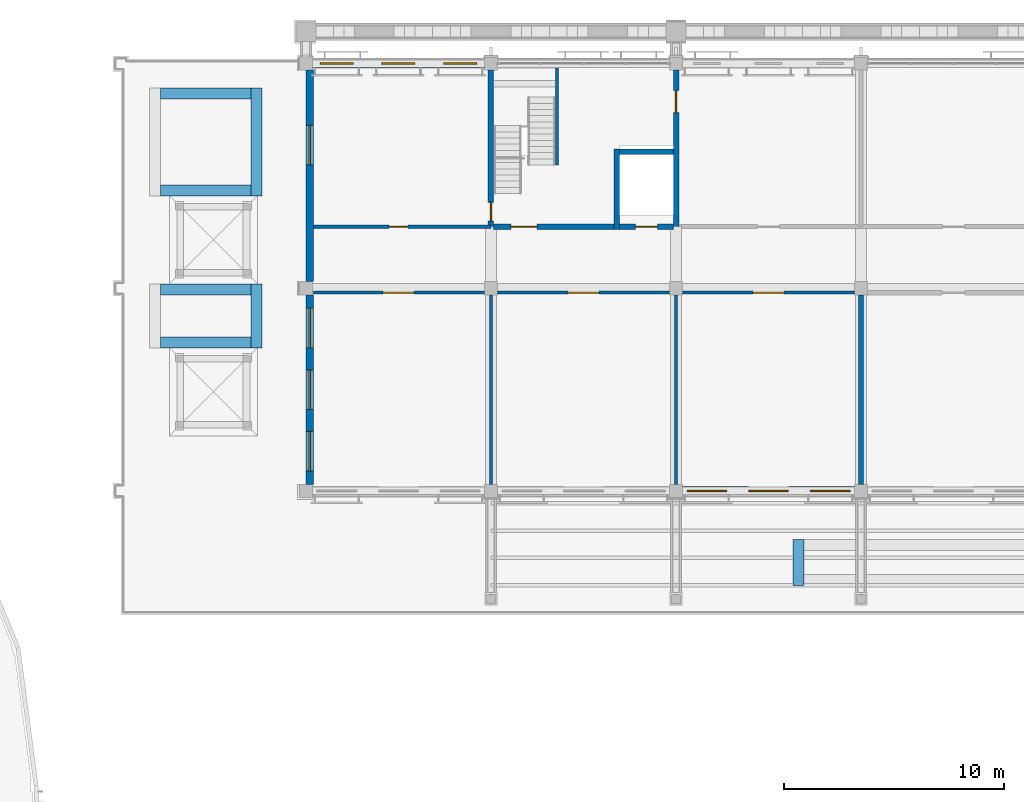
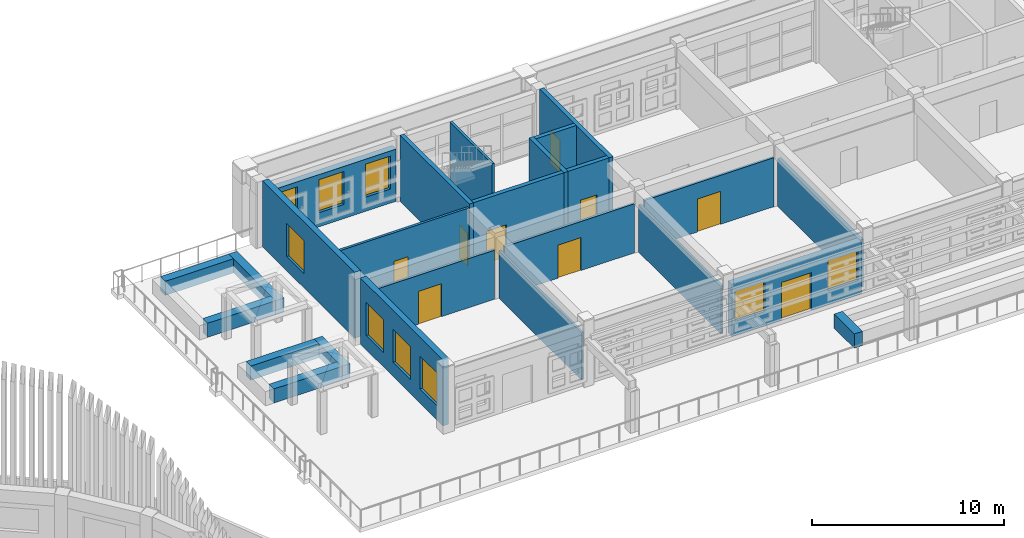
# One storey, part 28 of 68: 25 walls, 9 doors, 9 windows, 18 openings.
"""IFC4 building model written with IfcOpenShell, lengths in metres."""

from ifc_helpers import new_model, si_unit, direction, frame, frame_2d, origin, place, context, subcontext, project, spatial, rectangle, extrude, material, layer, layer_set, type_object, element, fill, save


model = new_model("IFC4")

# Units and contexts
model_context = context("Model", 3, precision=1e-05, world=origin(), true_north=direction((0.0, 1.0)))
body_context = subcontext(model_context, "Body", "Model", "MODEL_VIEW")
ifc_project = project(units=[si_unit("LENGTHUNIT", "METRE"), si_unit("AREAUNIT", "SQUARE_METRE"), si_unit("VOLUMEUNIT", "CUBIC_METRE"), si_unit("PLANEANGLEUNIT", "RADIAN"), si_unit("MASSUNIT", "GRAM", prefix="KILO")], contexts=[model_context])

# Site, building, storey
site_placement = place(None, origin())
site = spatial("IfcSite", under=ifc_project, at=site_placement, CompositionType="ELEMENT")
building_placement = place(site_placement, origin())
building = spatial("IfcBuilding", under=site, at=building_placement, Name="Wasatch Bagh Community Centre", CompositionType="ELEMENT")
storey_placement = place(building_placement, frame((0.0, 0.0, 8.39990234375)))
storey = spatial("IfcBuildingStorey", under=building, at=storey_placement, Name="L02", CompositionType="ELEMENT", Elevation=8.39990234375)

# Wall
ifc_material_1 = material(Name="Double stud acoustic partition", Category="Gypsum")
ifc_layer_1 = layer(ifc_material_1, 0.215087890625)
ifc_layer_set_1 = layer_set([ifc_layer_1], Name="Double stud acoustic partition")
wall_type_1 = type_object("IfcWallType", Name="LW acoustic partition 215", PredefinedType="PARTITIONING", material=ifc_layer_set_1)
wall_1_placement = place(storey_placement, frame((97.60009765625, 78.699951171875, 0.0), z_axis=(0.0, 0.0, 1.0), x_axis=(0.0, 1.0, 0.0)))
element("IfcWall", 1, at=wall_1_placement, inside=storey, type_object=wall_type_1, Name="LW.part.L02.014", PredefinedType="PARTITIONING", context=body_context, shape_type="SweptSolid", body=[
    extrude(rectangle(XDim=8.60009765625, YDim=0.215087890625, at=frame_2d((4.300048828125, 0.0))), origin(), (0.0, 0.0, 1.0), 3.02001953125),
])

# Wall, opening, door
ifc_material_2 = material(Name="Concrete C40", Category="concrete")
ifc_layer_2 = layer(ifc_material_2, 0.25)
ifc_layer_set_2 = layer_set([ifc_layer_2], Name="Concrete C40")
wall_type_2 = type_object("IfcWallType", Name="LW core wall 250", PredefinedType="SHEAR", material=ifc_layer_set_2)
wall_2_placement = place(storey_placement, frame((80.925048828125, 90.39990234375, 0.0), z_axis=(0.0, 0.0, 1.0), x_axis=(1.0, 0.0, 0.0)))
wall_2 = element("IfcWall", 2, at=wall_2_placement, inside=storey, type_object=wall_type_2, Name="LW.swall.L02.01", PredefinedType="SHEAR", context=body_context, shape_type="SweptSolid", body=[
    extrude(rectangle(XDim=5.449951171875, YDim=0.25, at=frame_2d((2.72509765625, 0.0))), origin(), (0.0, 0.0, 1.0), 4.2001953125),
])
opening_1_placement = place(wall_2_placement, frame((0.77490234375, 0.0, 0.0)))
opening_1 = element("IfcOpeningElement", 3, at=opening_1_placement, cuts=wall_2, Name="Opening 2L-28", PredefinedType="OPENING", context=body_context, shape_type="SweptSolid", body=[
    extrude(rectangle(XDim=1.199951171875, YDim=2.10009765625, at=frame_2d((0.60009765625, 1.050048828125))), frame((0.0, 0.135009765625, 0.0), z_axis=(0.0, -1.0, 0.0), x_axis=(1.0, 0.0, 0.0)), (0.0, 0.0, 1.0), 0.27001953125),
])
ifc_material_3 = material(Name="Painted timber", Category="wood")
door_type_1 = type_object("IfcDoorType", Name="LW stair door 1200x2100", OperationType="SINGLE_SWING_LEFT", PredefinedType="DOOR", material=ifc_material_3)
door_1_placement = place(opening_1_placement, origin())
door_1 = element("IfcDoor", 4, at=door_1_placement, inside=storey, type_object=door_type_1, Name="Stair door 2L-28", OperationType="SINGLE_SWING_RIGHT", OverallHeight=2.10009765625, OverallWidth=1.199951171875, PredefinedType="DOOR", context=body_context, shape_type="SweptSolid", body=[
    extrude(rectangle(XDim=1.199951171875, YDim=2.10009765625, at=frame_2d((0.60009765625, 1.050048828125))), frame((0.0, 0.02490234375, 0.0), z_axis=(0.0, -1.0, 0.0), x_axis=(1.0, 0.0, 0.0)), (0.0, 0.0, 1.0), 0.050048828125),
])
fill(opening_1, door_1)

wall_3_placement = place(storey_placement, frame((86.625, 90.39990234375, 0.0), z_axis=(0.0, 0.0, 1.0), x_axis=(1.0, 0.0, 0.0)))
wall_3 = element("IfcWall", 5, at=wall_3_placement, inside=storey, type_object=wall_type_2, Name="LW.swall.L02.02", PredefinedType="SHEAR", context=body_context, shape_type="SweptSolid", body=[
    extrude(rectangle(XDim=2.449951171875, YDim=0.25, at=frame_2d((1.22509765625, 0.0))), origin(), (0.0, 0.0, 1.0), 4.2001953125),
])
opening_2_placement = place(wall_3_placement, frame((0.72509765625, 0.0, 0.0)))
opening_2 = element("IfcOpeningElement", 6, at=opening_2_placement, cuts=wall_3, Name="Opening 2L-29", PredefinedType="OPENING", context=body_context, shape_type="SweptSolid", body=[
    extrude(rectangle(XDim=1.0, YDim=2.10009765625, at=frame_2d((0.5, 1.050048828125))), frame((0.0, 0.135009765625, 0.0), z_axis=(0.0, -1.0, 0.0), x_axis=(1.0, 0.0, 0.0)), (0.0, 0.0, 1.0), 0.27001953125),
])
ifc_material_4 = material(Name="Stainless steel landing door", Category="steel")
door_type_2 = type_object("IfcDoorType", Name="Lift landing door 1000 x 2100", OperationType="SLIDING_TO_LEFT", PredefinedType="DOOR", material=ifc_material_4)
door_2_placement = place(opening_2_placement, origin())
door_2 = element("IfcDoor", 7, at=door_2_placement, inside=storey, type_object=door_type_2, Name="Lift landing door LD 2L-29", OperationType="SLIDING_TO_LEFT", OverallHeight=2.10009765625, OverallWidth=1.0, PredefinedType="DOOR", context=body_context, shape_type="SweptSolid", body=[
    extrude(rectangle(XDim=1.0, YDim=2.10009765625, at=frame_2d((0.5, 1.050048828125))), frame((0.0, 0.02490234375, 0.0), z_axis=(0.0, -1.0, 0.0), x_axis=(1.0, 0.0, 0.0)), (0.0, 0.0, 1.0), 0.050048828125),
])
fill(opening_2, door_2)

# Wall
wall_4_placement = place(storey_placement, frame((86.625, 93.800048828125, 0.0), z_axis=(0.0, 0.0, 1.0), x_axis=(1.0, 0.0, 0.0)))
element("IfcWall", 8, at=wall_4_placement, inside=storey, type_object=wall_type_2, Name="LW.swall.L02.09", PredefinedType="SHEAR", context=body_context, shape_type="SweptSolid", body=[
    extrude(rectangle(XDim=2.449951171875, YDim=0.25, at=frame_2d((1.22509765625, 0.0))), origin(), (0.0, 0.0, 1.0), 4.2001953125),
])

# Wall, opening, door
wall_5_placement = place(storey_placement, frame((80.800048828125, 90.27490234375, 0.0), z_axis=(0.0, 0.0, 1.0), x_axis=(0.0, 1.0, 0.0)))
wall_5 = element("IfcWall", 9, at=wall_5_placement, inside=storey, type_object=wall_type_2, Name="LW.swall.L02.15", PredefinedType="SHEAR", context=body_context, shape_type="SweptSolid", body=[
    extrude(rectangle(XDim=7.22509765625, YDim=0.25, at=frame_2d((3.612548828125, 0.0))), origin(), (0.0, 0.0, 1.0), 4.2001953125),
])
opening_3_placement = place(wall_5_placement, frame((0.375, 0.0, 0.0)))
opening_3 = element("IfcOpeningElement", 10, at=opening_3_placement, cuts=wall_5, Name="Opening 2L-18", PredefinedType="OPENING", context=body_context, shape_type="SweptSolid", body=[
    extrude(rectangle(XDim=0.85009765625, YDim=2.10009765625, at=frame_2d((0.425048828125, 1.050048828125))), frame((0.0, 0.135009765625, 0.0), z_axis=(0.0, -1.0, 0.0), x_axis=(1.0, 0.0, 0.0)), (0.0, 0.0, 1.0), 0.27001953125),
])
door_type_3 = type_object("IfcDoorType", Name="LW office door 850x2100", OperationType="SINGLE_SWING_LEFT", PredefinedType="DOOR", material=ifc_material_3)
door_3_placement = place(opening_3_placement, origin())
door_3 = element("IfcDoor", 11, at=door_3_placement, inside=storey, type_object=door_type_3, Name="Door Meeting Room 1 2L-18", OperationType="SINGLE_SWING_RIGHT", OverallHeight=2.10009765625, OverallWidth=0.85009765625, PredefinedType="DOOR", context=body_context, shape_type="SweptSolid", body=[
    extrude(rectangle(XDim=0.85009765625, YDim=2.10009765625, at=frame_2d((0.425048828125, 1.050048828125))), frame((0.0, 0.02490234375, 0.0), z_axis=(0.0, -1.0, 0.0), x_axis=(1.0, 0.0, 0.0)), (0.0, 0.0, 1.0), 0.050048828125),
])
fill(opening_3, door_3)

# Wall
wall_6_placement = place(storey_placement, frame((86.5, 90.27490234375, 0.0), z_axis=(0.0, 0.0, 1.0), x_axis=(0.0, 1.0, 0.0)))
element("IfcWall", 12, at=wall_6_placement, inside=storey, type_object=wall_type_2, Name="LW.swall.L02.16", PredefinedType="SHEAR", context=body_context, shape_type="SweptSolid", body=[
    extrude(rectangle(XDim=3.650146484375, YDim=0.25, at=frame_2d((1.8251953125, 0.0))), origin(), (0.0, 0.0, 1.0), 4.2001953125),
])

# Wall, opening, door
wall_7_placement = place(storey_placement, frame((89.199951171875, 90.27490234375, 0.0), z_axis=(0.0, 0.0, 1.0), x_axis=(0.0, 1.0, 0.0)))
wall_7 = element("IfcWall", 13, at=wall_7_placement, inside=storey, type_object=wall_type_2, Name="LW.swall.L02.17", PredefinedType="SHEAR", context=body_context, shape_type="SweptSolid", body=[
    extrude(rectangle(XDim=7.22509765625, YDim=0.25, at=frame_2d((3.612548828125, 0.0))), origin(), (0.0, 0.0, 1.0), 4.2001953125),
])
opening_4_placement = place(wall_7_placement, frame((5.300048828125, 0.0, 0.0)))
opening_4 = element("IfcOpeningElement", 14, at=opening_4_placement, cuts=wall_7, Name="Opening 2L-20", PredefinedType="OPENING", context=body_context, shape_type="SweptSolid", body=[
    extrude(rectangle(XDim=1.0, YDim=2.10009765625, at=frame_2d((0.5, 1.050048828125))), frame((0.0, 0.135009765625, 0.0), z_axis=(0.0, -1.0, 0.0), x_axis=(1.0, 0.0, 0.0)), (0.0, 0.0, 1.0), 0.27001953125),
])
door_type_4 = type_object("IfcDoorType", Name="LW door 1000x2100", OperationType="SINGLE_SWING_LEFT", PredefinedType="DOOR", material=ifc_material_3)
door_4_placement = place(opening_4_placement, origin())
door_4 = element("IfcDoor", 15, at=door_4_placement, inside=storey, type_object=door_type_4, Name="Door Local History Archive 2L-20", OperationType="SINGLE_SWING_RIGHT", OverallHeight=2.10009765625, OverallWidth=1.0, PredefinedType="DOOR", context=body_context, shape_type="SweptSolid", body=[
    extrude(rectangle(XDim=1.0, YDim=2.10009765625, at=frame_2d((0.5, 1.050048828125))), frame((0.0, 0.02490234375, 0.0), z_axis=(0.0, -1.0, 0.0), x_axis=(1.0, 0.0, 0.0)), (0.0, 0.0, 1.0), 0.050048828125),
])
fill(opening_4, door_4)

# Wall, openings, windows
ifc_layer_3 = layer(ifc_material_2, 0.35009765625)
ifc_layer_set_3 = layer_set([ifc_layer_3], Name="Concrete C40")
wall_type_3 = type_object("IfcWallType", Name="LW end shear wall 350", PredefinedType="SHEAR", material=ifc_layer_set_3)
wall_8_placement = place(storey_placement, frame((72.574951171875, 78.699951171875, 0.0), z_axis=(0.0, 0.0, 1.0), x_axis=(0.0, 1.0, 0.0)))
wall_8 = element("IfcWall", 16, at=wall_8_placement, inside=storey, type_object=wall_type_3, Name="LW.swall.L02.13", PredefinedType="SHEAR", context=body_context, shape_type="SweptSolid", body=[
    extrude(rectangle(XDim=8.60009765625, YDim=0.35009765625, at=frame_2d((4.300048828125, 0.0))), origin(), (0.0, 0.0, 1.0), 4.2001953125),
])
opening_5_placement = place(wall_8_placement, frame((0.60009765625, 0.0, 0.89990234375)))
opening_5 = element("IfcOpeningElement", 17, at=opening_5_placement, cuts=wall_8, Name="Opening 2L-W026", PredefinedType="OPENING", context=body_context, shape_type="SweptSolid", body=[
    extrude(rectangle(XDim=1.800048828125, YDim=2.10009765625, at=frame_2d((0.89990234375, 1.050048828125))), frame((0.0, 0.18505859375, 0.0), z_axis=(0.0, -1.0, 0.0), x_axis=(1.0, 0.0, 0.0)), (0.0, 0.0, 1.0), 0.3701171875),
])
opening_6_placement = place(wall_8_placement, frame((3.39990234375, 0.0, 0.89990234375)))
opening_6 = element("IfcOpeningElement", 18, at=opening_6_placement, cuts=wall_8, Name="Opening 2L-W027", PredefinedType="OPENING", context=body_context, shape_type="SweptSolid", body=[
    extrude(rectangle(XDim=1.800048828125, YDim=2.10009765625, at=frame_2d((0.89990234375, 1.050048828125))), frame((0.0, 0.18505859375, 0.0), z_axis=(0.0, -1.0, 0.0), x_axis=(1.0, 0.0, 0.0)), (0.0, 0.0, 1.0), 0.3701171875),
])
opening_7_placement = place(wall_8_placement, frame((6.199951171875, 0.0, 0.89990234375)))
opening_7 = element("IfcOpeningElement", 19, at=opening_7_placement, cuts=wall_8, Name="Opening 2L-W028", PredefinedType="OPENING", context=body_context, shape_type="SweptSolid", body=[
    extrude(rectangle(XDim=1.800048828125, YDim=2.10009765625, at=frame_2d((0.89990234375, 1.050048828125))), frame((0.0, 0.18505859375, 0.0), z_axis=(0.0, -1.0, 0.0), x_axis=(1.0, 0.0, 0.0)), (0.0, 0.0, 1.0), 0.3701171875),
])
ifc_material_5 = material(Name="Aluminium framed double glazing", Category="aluminium")
window_type_1 = type_object("IfcWindowType", Name="LW window 1800x2100", PartitioningType="SINGLE_PANEL", PredefinedType="WINDOW", material=ifc_material_5)
window_1_placement = place(opening_5_placement, origin())
window_1 = element("IfcWindow", 20, at=window_1_placement, inside=storey, type_object=window_type_1, Name="Window 2L-W026", OverallHeight=2.10009765625, OverallWidth=1.800048828125, PartitioningType="SINGLE_PANEL", PredefinedType="WINDOW", context=body_context, shape_type="SweptSolid", body=[
    extrude(rectangle(XDim=1.800048828125, YDim=2.10009765625, at=frame_2d((0.89990234375, 1.050048828125))), frame((0.0, 0.030029296875, 0.0), z_axis=(0.0, -1.0, 0.0), x_axis=(1.0, 0.0, 0.0)), (0.0, 0.0, 1.0), 0.06005859375),
])
fill(opening_5, window_1)
window_2_placement = place(opening_6_placement, origin())
window_2 = element("IfcWindow", 21, at=window_2_placement, inside=storey, type_object=window_type_1, Name="Window 2L-W027", OverallHeight=2.10009765625, OverallWidth=1.800048828125, PartitioningType="SINGLE_PANEL", PredefinedType="WINDOW", context=body_context, shape_type="SweptSolid", body=[
    extrude(rectangle(XDim=1.800048828125, YDim=2.10009765625, at=frame_2d((0.89990234375, 1.050048828125))), frame((0.0, 0.030029296875, 0.0), z_axis=(0.0, -1.0, 0.0), x_axis=(1.0, 0.0, 0.0)), (0.0, 0.0, 1.0), 0.06005859375),
])
fill(opening_6, window_2)
window_3_placement = place(opening_7_placement, origin())
window_3 = element("IfcWindow", 22, at=window_3_placement, inside=storey, type_object=window_type_1, Name="Window 2L-W028", OverallHeight=2.10009765625, OverallWidth=1.800048828125, PartitioningType="SINGLE_PANEL", PredefinedType="WINDOW", context=body_context, shape_type="SweptSolid", body=[
    extrude(rectangle(XDim=1.800048828125, YDim=2.10009765625, at=frame_2d((0.89990234375, 1.050048828125))), frame((0.0, 0.030029296875, 0.0), z_axis=(0.0, -1.0, 0.0), x_axis=(1.0, 0.0, 0.0)), (0.0, 0.0, 1.0), 0.06005859375),
])
fill(opening_7, window_3)

# Wall, opening, window
wall_9_placement = place(storey_placement, frame((72.574951171875, 87.89990234375, 0.0), z_axis=(0.0, 0.0, 1.0), x_axis=(0.0, 1.0, 0.0)))
wall_9 = element("IfcWall", 23, at=wall_9_placement, inside=storey, type_object=wall_type_3, Name="LW.swall.L02.14", PredefinedType="SHEAR", context=body_context, shape_type="SweptSolid", body=[
    extrude(rectangle(XDim=9.60009765625, YDim=0.35009765625, at=frame_2d((4.800048828125, 0.0))), origin(), (0.0, 0.0, 1.0), 4.2001953125),
])
opening_8_placement = place(wall_9_placement, frame((5.300048828125, 0.0, 0.89990234375)))
opening_8 = element("IfcOpeningElement", 24, at=opening_8_placement, cuts=wall_9, Name="Opening 2L-W029", PredefinedType="OPENING", context=body_context, shape_type="SweptSolid", body=[
    extrude(rectangle(XDim=1.800048828125, YDim=2.10009765625, at=frame_2d((0.89990234375, 1.050048828125))), frame((0.0, 0.18505859375, 0.0), z_axis=(0.0, -1.0, 0.0), x_axis=(1.0, 0.0, 0.0)), (0.0, 0.0, 1.0), 0.3701171875),
])
window_4_placement = place(opening_8_placement, origin())
window_4 = element("IfcWindow", 25, at=window_4_placement, inside=storey, type_object=window_type_1, Name="Window 2L-W029", OverallHeight=2.10009765625, OverallWidth=1.800048828125, PartitioningType="SINGLE_PANEL", PredefinedType="WINDOW", context=body_context, shape_type="SweptSolid", body=[
    extrude(rectangle(XDim=1.800048828125, YDim=2.10009765625, at=frame_2d((0.89990234375, 1.050048828125))), frame((0.0, 0.030029296875, 0.0), z_axis=(0.0, -1.0, 0.0), x_axis=(1.0, 0.0, 0.0)), (0.0, 0.0, 1.0), 0.06005859375),
])
fill(opening_8, window_4)

# Wall, openings, door, windows
ifc_material_6 = material(Name="Concrete C35", Category="concrete")
ifc_layer_4 = layer(ifc_material_6, 0.39990234375)
ifc_layer_set_4 = layer_set([ifc_layer_4], Name="Concrete C35")
wall_type_4 = type_object("IfcWallType", Name="LW facade wall 400", PredefinedType="SOLIDWALL", material=ifc_layer_set_4)
wall_10_placement = place(storey_placement, frame((89.5, 78.39990234375, 0.0), z_axis=(0.0, 0.0, 1.0), x_axis=(1.0, 0.0, 0.0)))
wall_10 = element("IfcWall", 26, at=wall_10_placement, inside=storey, type_object=wall_type_4, Name="Facade wall", PredefinedType="SOLIDWALL", context=body_context, shape_type="SweptSolid", body=[
    extrude(rectangle(XDim=7.800048828125, YDim=0.39990234375, at=frame_2d((3.89990234375, 0.0))), origin(), (0.0, 0.0, 1.0), 3.320068359375),
])
opening_9_placement = place(wall_10_placement, frame((3.0, 0.0, 0.0)))
opening_9 = element("IfcOpeningElement", 27, at=opening_9_placement, cuts=wall_10, Name="Opening 2L-03", PredefinedType="OPENING", context=body_context, shape_type="SweptSolid", body=[
    extrude(rectangle(XDim=1.800048828125, YDim=2.39990234375, at=frame_2d((0.89990234375, 1.199951171875))), frame((0.0, 0.2099609375, 0.0), z_axis=(0.0, -1.0, 0.0), x_axis=(1.0, 0.0, 0.0)), (0.0, 0.0, 1.0), 0.419921875),
])
opening_10_placement = place(wall_10_placement, frame((0.199951171875, 0.0, 0.89990234375)))
opening_10 = element("IfcOpeningElement", 28, at=opening_10_placement, cuts=wall_10, Name="Opening 2L-W005", PredefinedType="OPENING", context=body_context, shape_type="SweptSolid", body=[
    extrude(rectangle(XDim=1.800048828125, YDim=1.89990234375, at=frame_2d((0.89990234375, 0.949951171875))), frame((0.0, 0.2099609375, 0.0), z_axis=(0.0, -1.0, 0.0), x_axis=(1.0, 0.0, 0.0)), (0.0, 0.0, 1.0), 0.419921875),
])
opening_11_placement = place(wall_10_placement, frame((5.800048828125, 0.0, 0.89990234375)))
opening_11 = element("IfcOpeningElement", 29, at=opening_11_placement, cuts=wall_10, Name="Opening 2L-W006", PredefinedType="OPENING", context=body_context, shape_type="SweptSolid", body=[
    extrude(rectangle(XDim=1.800048828125, YDim=1.89990234375, at=frame_2d((0.89990234375, 0.949951171875))), frame((0.0, 0.2099609375, 0.0), z_axis=(0.0, -1.0, 0.0), x_axis=(1.0, 0.0, 0.0)), (0.0, 0.0, 1.0), 0.419921875),
])
ifc_material_7 = material(Name="Aluminium framed glazed door", Category="aluminium")
door_type_5 = type_object("IfcDoorType", Name="LW terrace door pair 1800x2400", OperationType="DOUBLE_DOOR_SINGLE_SWING", PredefinedType="DOOR", material=ifc_material_7)
door_5_placement = place(opening_9_placement, origin())
door_5 = element("IfcDoor", 30, at=door_5_placement, inside=storey, type_object=door_type_5, Name="Terrace door 2L-03", OperationType="DOUBLE_DOOR_SINGLE_SWING", OverallHeight=2.39990234375, OverallWidth=1.800048828125, PredefinedType="DOOR", context=body_context, shape_type="SweptSolid", body=[
    extrude(rectangle(XDim=1.800048828125, YDim=2.39990234375, at=frame_2d((0.89990234375, 1.199951171875))), frame((0.0, 0.02490234375, 0.0), z_axis=(0.0, -1.0, 0.0), x_axis=(1.0, 0.0, 0.0)), (0.0, 0.0, 1.0), 0.050048828125),
])
fill(opening_9, door_5)
window_type_2 = type_object("IfcWindowType", Name="LW window 1800x1900", PartitioningType="SINGLE_PANEL", PredefinedType="WINDOW", material=ifc_material_5)
window_5_placement = place(opening_10_placement, origin())
window_5 = element("IfcWindow", 31, at=window_5_placement, inside=storey, type_object=window_type_2, Name="Window 2L-W005", OverallHeight=1.89990234375, OverallWidth=1.800048828125, PartitioningType="SINGLE_PANEL", PredefinedType="WINDOW", context=body_context, shape_type="SweptSolid", body=[
    extrude(rectangle(XDim=1.800048828125, YDim=1.89990234375, at=frame_2d((0.89990234375, 0.949951171875))), frame((0.0, 0.030029296875, 0.0), z_axis=(0.0, -1.0, 0.0), x_axis=(1.0, 0.0, 0.0)), (0.0, 0.0, 1.0), 0.06005859375),
])
fill(opening_10, window_5)
window_6_placement = place(opening_11_placement, origin())
window_6 = element("IfcWindow", 32, at=window_6_placement, inside=storey, type_object=window_type_2, Name="Window 2L-W006", OverallHeight=1.89990234375, OverallWidth=1.800048828125, PartitioningType="SINGLE_PANEL", PredefinedType="WINDOW", context=body_context, shape_type="SweptSolid", body=[
    extrude(rectangle(XDim=1.800048828125, YDim=1.89990234375, at=frame_2d((0.89990234375, 0.949951171875))), frame((0.0, 0.030029296875, 0.0), z_axis=(0.0, -1.0, 0.0), x_axis=(1.0, 0.0, 0.0)), (0.0, 0.0, 1.0), 0.06005859375),
])
fill(opening_11, window_6)

# Wall, openings, windows
wall_11_placement = place(storey_placement, frame((72.699951171875, 97.800048828125, 0.0), z_axis=(0.0, 0.0, 1.0), x_axis=(1.0, 0.0, 0.0)))
wall_11 = element("IfcWall", 33, at=wall_11_placement, inside=storey, type_object=wall_type_4, Name="Facade wall", PredefinedType="SOLIDWALL", context=body_context, shape_type="SweptSolid", body=[
    extrude(rectangle(XDim=7.800048828125, YDim=0.39990234375, at=frame_2d((3.89990234375, 0.0))), origin(), (0.0, 0.0, 1.0), 3.320068359375),
])
opening_12_placement = place(wall_11_placement, frame((0.35009765625, 0.0, 0.89990234375)))
opening_12 = element("IfcOpeningElement", 34, at=opening_12_placement, cuts=wall_11, Name="Opening 2L-W017", PredefinedType="OPENING", context=body_context, shape_type="SweptSolid", body=[
    extrude(rectangle(XDim=1.5, YDim=2.10009765625, at=frame_2d((0.75, 1.050048828125))), frame((0.0, 0.2099609375, 0.0), z_axis=(0.0, -1.0, 0.0), x_axis=(1.0, 0.0, 0.0)), (0.0, 0.0, 1.0), 0.419921875),
])
opening_13_placement = place(wall_11_placement, frame((3.14990234375, 0.0, 0.89990234375)))
opening_13 = element("IfcOpeningElement", 35, at=opening_13_placement, cuts=wall_11, Name="Opening 2L-W018", PredefinedType="OPENING", context=body_context, shape_type="SweptSolid", body=[
    extrude(rectangle(XDim=1.5, YDim=2.10009765625, at=frame_2d((0.75, 1.050048828125))), frame((0.0, 0.2099609375, 0.0), z_axis=(0.0, -1.0, 0.0), x_axis=(1.0, 0.0, 0.0)), (0.0, 0.0, 1.0), 0.419921875),
])
opening_14_placement = place(wall_11_placement, frame((5.949951171875, 0.0, 0.89990234375)))
opening_14 = element("IfcOpeningElement", 36, at=opening_14_placement, cuts=wall_11, Name="Opening 2L-W019", PredefinedType="OPENING", context=body_context, shape_type="SweptSolid", body=[
    extrude(rectangle(XDim=1.5, YDim=2.10009765625, at=frame_2d((0.75, 1.050048828125))), frame((0.0, 0.2099609375, 0.0), z_axis=(0.0, -1.0, 0.0), x_axis=(1.0, 0.0, 0.0)), (0.0, 0.0, 1.0), 0.419921875),
])
window_type_3 = type_object("IfcWindowType", Name="LW meeting room window 1500x2100", PartitioningType="SINGLE_PANEL", PredefinedType="WINDOW", material=ifc_material_5)
window_7_placement = place(opening_12_placement, origin())
window_7 = element("IfcWindow", 37, at=window_7_placement, inside=storey, type_object=window_type_3, Name="Window 2L-W017", OverallHeight=2.10009765625, OverallWidth=1.5, PartitioningType="SINGLE_PANEL", PredefinedType="WINDOW", context=body_context, shape_type="SweptSolid", body=[
    extrude(rectangle(XDim=1.5, YDim=2.10009765625, at=frame_2d((0.75, 1.050048828125))), frame((0.0, 0.030029296875, 0.0), z_axis=(0.0, -1.0, 0.0), x_axis=(1.0, 0.0, 0.0)), (0.0, 0.0, 1.0), 0.06005859375),
])
fill(opening_12, window_7)
window_8_placement = place(opening_13_placement, origin())
window_8 = element("IfcWindow", 38, at=window_8_placement, inside=storey, type_object=window_type_3, Name="Window 2L-W018", OverallHeight=2.10009765625, OverallWidth=1.5, PartitioningType="SINGLE_PANEL", PredefinedType="WINDOW", context=body_context, shape_type="SweptSolid", body=[
    extrude(rectangle(XDim=1.5, YDim=2.10009765625, at=frame_2d((0.75, 1.050048828125))), frame((0.0, 0.030029296875, 0.0), z_axis=(0.0, -1.0, 0.0), x_axis=(1.0, 0.0, 0.0)), (0.0, 0.0, 1.0), 0.06005859375),
])
fill(opening_13, window_8)
window_9_placement = place(opening_14_placement, origin())
window_9 = element("IfcWindow", 39, at=window_9_placement, inside=storey, type_object=window_type_3, Name="Window 2L-W019", OverallHeight=2.10009765625, OverallWidth=1.5, PartitioningType="SINGLE_PANEL", PredefinedType="WINDOW", context=body_context, shape_type="SweptSolid", body=[
    extrude(rectangle(XDim=1.5, YDim=2.10009765625, at=frame_2d((0.75, 1.050048828125))), frame((0.0, 0.030029296875, 0.0), z_axis=(0.0, -1.0, 0.0), x_axis=(1.0, 0.0, 0.0)), (0.0, 0.0, 1.0), 0.06005859375),
])
fill(opening_14, window_9)

# Wall, opening, door
ifc_material_8 = material(Name="Gypsum board on steel studs", Category="steel")
ifc_layer_5 = layer(ifc_material_8, 0.14990234375)
ifc_layer_set_5 = layer_set([ifc_layer_5], Name="Gypsum board on steel studs")
wall_type_5 = type_object("IfcWallType", Name="LW partition 150", PredefinedType="PARTITIONING", material=ifc_layer_set_5)
wall_12_placement = place(storey_placement, frame((72.75, 90.39990234375, 0.0), z_axis=(0.0, 0.0, 1.0), x_axis=(1.0, 0.0, 0.0)))
wall_12 = element("IfcWall", 40, at=wall_12_placement, inside=storey, type_object=wall_type_5, Name="LW.part.L02.010", PredefinedType="PARTITIONING", context=body_context, shape_type="SweptSolid", body=[
    extrude(rectangle(XDim=8.050048828125, YDim=0.14990234375, at=frame_2d((4.02490234375, 0.0))), origin(), (0.0, 0.0, 1.0), 3.920166015625),
])
opening_15_placement = place(wall_12_placement, frame((3.425048828125, 0.0, 0.0)))
opening_15 = element("IfcOpeningElement", 41, at=opening_15_placement, cuts=wall_12, Name="Opening 2L-17", PredefinedType="OPENING", context=body_context, shape_type="SweptSolid", body=[
    extrude(rectangle(XDim=0.85009765625, YDim=2.10009765625, at=frame_2d((0.425048828125, 1.050048828125))), frame((0.0, 0.0849609375, 0.0), z_axis=(0.0, -1.0, 0.0), x_axis=(1.0, 0.0, 0.0)), (0.0, 0.0, 1.0), 0.169921875),
])
door_6_placement = place(opening_15_placement, origin())
door_6 = element("IfcDoor", 42, at=door_6_placement, inside=storey, type_object=door_type_3, Name="Door Meeting Room 1 2L-17", OperationType="SINGLE_SWING_LEFT", OverallHeight=2.10009765625, OverallWidth=0.85009765625, PredefinedType="DOOR", context=body_context, shape_type="SweptSolid", body=[
    extrude(rectangle(XDim=0.85009765625, YDim=2.10009765625, at=frame_2d((0.425048828125, 1.050048828125))), frame((0.0, 0.02490234375, 0.0), z_axis=(0.0, -1.0, 0.0), x_axis=(1.0, 0.0, 0.0)), (0.0, 0.0, 1.0), 0.050048828125),
])
fill(opening_15, door_6)

# Walls
wall_13_placement = place(storey_placement, frame((83.800048828125, 93.199951171875, 0.0), z_axis=(0.0, 0.0, 1.0), x_axis=(0.0, 1.0, 0.0)))
element("IfcWall", 43, at=wall_13_placement, inside=storey, type_object=wall_type_5, Name="Stair compartment wall", PredefinedType="PARTITIONING", context=body_context, shape_type="SweptSolid", body=[
    extrude(rectangle(XDim=4.400146484375, YDim=0.14990234375, at=frame_2d((2.2001953125, 0.0))), origin(), (0.0, 0.0, 1.0), 3.920166015625),
])
ifc_layer_6 = layer(ifc_material_6, 0.5)
ifc_layer_set_6 = layer_set([ifc_layer_6], Name="Concrete C35")
wall_type_6 = type_object("IfcWallType", Name="LW planter trough wall 500", PredefinedType="SOLIDWALL", material=ifc_layer_set_6)
wall_14_placement = place(storey_placement, frame((94.75, 74.10009765625, 0.0), z_axis=(0.0, 0.0, 1.0), x_axis=(0.0, 1.0, 0.0)))
element("IfcWall", 44, at=wall_14_placement, inside=storey, type_object=wall_type_6, Name="Planter wall T2", PredefinedType="SOLIDWALL", context=body_context, shape_type="SweptSolid", body=[
    extrude(rectangle(XDim=2.099853515625, YDim=0.5, at=frame_2d((1.0498046875, 0.0))), origin(), (0.0, 0.0, 1.0), 0.900146484375),
])
for number, where, z_axis, x_axis, name in (
    (45, (65.800048828125, 92.050048828125, 0.0), (0.0, 0.0, 1.0), (1.0, 0.0, 0.0), "Planter wall T2"),
    (46, (65.800048828125, 96.449951171875, 0.0), (0.0, 0.0, 1.0), (1.0, 0.0, 0.0), "Planter wall T2"),
):
    element("IfcWall", number, at=place(storey_placement, frame(where, z_axis=z_axis, x_axis=x_axis)), inside=storey, type_object=wall_type_6, Name=name, PredefinedType="SOLIDWALL", context=body_context, shape_type="SweptSolid", body=[
        extrude(rectangle(XDim=4.099853515625, YDim=0.5, at=frame_2d((2.0498046875, 0.0))), origin(), (0.0, 0.0, 1.0), 0.900146484375),
    ])
wall_15_placement = place(storey_placement, frame((70.14990234375, 91.800048828125, 0.0), z_axis=(0.0, 0.0, 1.0), x_axis=(0.0, 1.0, 0.0)))
element("IfcWall", 47, at=wall_15_placement, inside=storey, type_object=wall_type_6, Name="Planter wall T2", PredefinedType="SOLIDWALL", context=body_context, shape_type="SweptSolid", body=[
    extrude(rectangle(XDim=4.89990234375, YDim=0.5, at=frame_2d((2.449951171875, 0.0))), origin(), (0.0, 0.0, 1.0), 0.900146484375),
])
for number, where, z_axis, x_axis, name in (
    (48, (65.800048828125, 85.14990234375, 0.0), (0.0, 0.0, 1.0), (1.0, 0.0, 0.0), "Planter wall T2"),
    (49, (65.800048828125, 87.550048828125, 0.0), (0.0, 0.0, 1.0), (1.0, 0.0, 0.0), "Planter wall T2"),
):
    element("IfcWall", number, at=place(storey_placement, frame(where, z_axis=z_axis, x_axis=x_axis)), inside=storey, type_object=wall_type_6, Name=name, PredefinedType="SOLIDWALL", context=body_context, shape_type="SweptSolid", body=[
        extrude(rectangle(XDim=4.099853515625, YDim=0.5, at=frame_2d((2.0498046875, 0.0))), origin(), (0.0, 0.0, 1.0), 0.900146484375),
    ])
wall_16_placement = place(storey_placement, frame((70.14990234375, 84.89990234375, 0.0), z_axis=(0.0, 0.0, 1.0), x_axis=(0.0, 1.0, 0.0)))
element("IfcWall", 50, at=wall_16_placement, inside=storey, type_object=wall_type_6, Name="Planter wall T2", PredefinedType="SOLIDWALL", context=body_context, shape_type="SweptSolid", body=[
    extrude(rectangle(XDim=2.900146484375, YDim=0.5, at=frame_2d((1.4501953125, 0.0))), origin(), (0.0, 0.0, 1.0), 0.900146484375),
])

# Wall, opening, door
ifc_material_9 = material(Name="Impact resistant board on steel studs", Category="steel")
ifc_layer_7 = layer(ifc_material_9, 0.139892578125)
ifc_layer_set_7 = layer_set([ifc_layer_7], Name="Impact resistant board on steel studs")
wall_type_7 = type_object("IfcWallType", Name="LW youth room partition 140", PredefinedType="PARTITIONING", material=ifc_layer_set_7)
wall_17_placement = place(storey_placement, frame((72.75, 87.39990234375, 0.0), z_axis=(0.0, 0.0, 1.0), x_axis=(1.0, 0.0, 0.0)))
wall_17 = element("IfcWall", 51, at=wall_17_placement, inside=storey, type_object=wall_type_7, Name="LW.part.L02.006", PredefinedType="PARTITIONING", context=body_context, shape_type="SweptSolid", body=[
    extrude(rectangle(XDim=7.75, YDim=0.139892578125, at=frame_2d((3.875, 0.0))), origin(), (0.0, 0.0, 1.0), 3.1201171875),
])
opening_16_placement = place(wall_17_placement, frame((3.14990234375, 0.0, 0.0)))
opening_16 = element("IfcOpeningElement", 52, at=opening_16_placement, cuts=wall_17, Name="Opening 2L-09", PredefinedType="OPENING", context=body_context, shape_type="SweptSolid", body=[
    extrude(rectangle(XDim=1.39990234375, YDim=2.10009765625, at=frame_2d((0.699951171875, 1.050048828125))), frame((0.0, 0.079833984375, 0.0), z_axis=(0.0, -1.0, 0.0), x_axis=(1.0, 0.0, 0.0)), (0.0, 0.0, 1.0), 0.159912109375),
])
door_type_6 = type_object("IfcDoorType", Name="LW youth room door pair 1400x2100", OperationType="DOUBLE_DOOR_SINGLE_SWING", PredefinedType="DOOR", material=ifc_material_3)
door_7_placement = place(opening_16_placement, origin())
door_7 = element("IfcDoor", 53, at=door_7_placement, inside=storey, type_object=door_type_6, Name="Door Youth Room 2 2L-09", OperationType="DOUBLE_DOOR_SINGLE_SWING", OverallHeight=2.10009765625, OverallWidth=1.39990234375, PredefinedType="DOOR", context=body_context, shape_type="SweptSolid", body=[
    extrude(rectangle(XDim=1.39990234375, YDim=2.10009765625, at=frame_2d((0.699951171875, 1.050048828125))), frame((0.0, 0.02490234375, 0.0), z_axis=(0.0, -1.0, 0.0), x_axis=(1.0, 0.0, 0.0)), (0.0, 0.0, 1.0), 0.050048828125),
])
fill(opening_16, door_7)

wall_18_placement = place(storey_placement, frame((81.10009765625, 87.39990234375, 0.0), z_axis=(0.0, 0.0, 1.0), x_axis=(1.0, 0.0, 0.0)))
wall_18 = element("IfcWall", 54, at=wall_18_placement, inside=storey, type_object=wall_type_7, Name="LW.part.L02.007", PredefinedType="PARTITIONING", context=body_context, shape_type="SweptSolid", body=[
    extrude(rectangle(XDim=7.7998046875, YDim=0.139892578125, at=frame_2d((3.89990234375, 0.0))), origin(), (0.0, 0.0, 1.0), 3.1201171875),
])
opening_17_placement = place(wall_18_placement, frame((3.199951171875, 0.0, 0.0)))
opening_17 = element("IfcOpeningElement", 55, at=opening_17_placement, cuts=wall_18, Name="Opening 2L-10", PredefinedType="OPENING", context=body_context, shape_type="SweptSolid", body=[
    extrude(rectangle(XDim=1.39990234375, YDim=2.10009765625, at=frame_2d((0.699951171875, 1.050048828125))), frame((0.0, 0.079833984375, 0.0), z_axis=(0.0, -1.0, 0.0), x_axis=(1.0, 0.0, 0.0)), (0.0, 0.0, 1.0), 0.159912109375),
])
door_8_placement = place(opening_17_placement, origin())
door_8 = element("IfcDoor", 56, at=door_8_placement, inside=storey, type_object=door_type_6, Name="Door Youth Room 3 2L-10", OperationType="DOUBLE_DOOR_SINGLE_SWING", OverallHeight=2.10009765625, OverallWidth=1.39990234375, PredefinedType="DOOR", context=body_context, shape_type="SweptSolid", body=[
    extrude(rectangle(XDim=1.39990234375, YDim=2.10009765625, at=frame_2d((0.699951171875, 1.050048828125))), frame((0.0, 0.02490234375, 0.0), z_axis=(0.0, -1.0, 0.0), x_axis=(1.0, 0.0, 0.0)), (0.0, 0.0, 1.0), 0.050048828125),
])
fill(opening_17, door_8)

wall_19_placement = place(storey_placement, frame((89.5, 87.39990234375, 0.0), z_axis=(0.0, 0.0, 1.0), x_axis=(1.0, 0.0, 0.0)))
wall_19 = element("IfcWall", 57, at=wall_19_placement, inside=storey, type_object=wall_type_7, Name="LW.part.L02.008", PredefinedType="PARTITIONING", context=body_context, shape_type="SweptSolid", body=[
    extrude(rectangle(XDim=7.800048828125, YDim=0.139892578125, at=frame_2d((3.89990234375, 0.0))), origin(), (0.0, 0.0, 1.0), 3.1201171875),
])
opening_18_placement = place(wall_19_placement, frame((3.199951171875, 0.0, 0.0)))
opening_18 = element("IfcOpeningElement", 58, at=opening_18_placement, cuts=wall_19, Name="Opening 2L-11", PredefinedType="OPENING", context=body_context, shape_type="SweptSolid", body=[
    extrude(rectangle(XDim=1.39990234375, YDim=2.10009765625, at=frame_2d((0.699951171875, 1.050048828125))), frame((0.0, 0.079833984375, 0.0), z_axis=(0.0, -1.0, 0.0), x_axis=(1.0, 0.0, 0.0)), (0.0, 0.0, 1.0), 0.159912109375),
])
door_9_placement = place(opening_18_placement, origin())
door_9 = element("IfcDoor", 59, at=door_9_placement, inside=storey, type_object=door_type_6, Name="Door Games Room 2L-11", OperationType="DOUBLE_DOOR_SINGLE_SWING", OverallHeight=2.10009765625, OverallWidth=1.39990234375, PredefinedType="DOOR", context=body_context, shape_type="SweptSolid", body=[
    extrude(rectangle(XDim=1.39990234375, YDim=2.10009765625, at=frame_2d((0.699951171875, 1.050048828125))), frame((0.0, 0.02490234375, 0.0), z_axis=(0.0, -1.0, 0.0), x_axis=(1.0, 0.0, 0.0)), (0.0, 0.0, 1.0), 0.050048828125),
])
fill(opening_18, door_9)

# Walls
for number, where, z_axis, x_axis, name in (
    (60, (80.800048828125, 78.699951171875, 0.0), (0.0, 0.0, 1.0), (0.0, 1.0, 0.0), "LW.part.L02.012"),
    (61, (89.199951171875, 78.699951171875, 0.0), (0.0, 0.0, 1.0), (0.0, 1.0, 0.0), "LW.part.L02.013"),
):
    element("IfcWall", number, at=place(storey_placement, frame(where, z_axis=z_axis, x_axis=x_axis)), inside=storey, type_object=wall_type_7, Name=name, PredefinedType="PARTITIONING", context=body_context, shape_type="SweptSolid", body=[
        extrude(rectangle(XDim=8.60009765625, YDim=0.139892578125, at=frame_2d((4.300048828125, 0.0))), origin(), (0.0, 0.0, 1.0), 3.02001953125),
    ])

save(model, "model.ifc")
